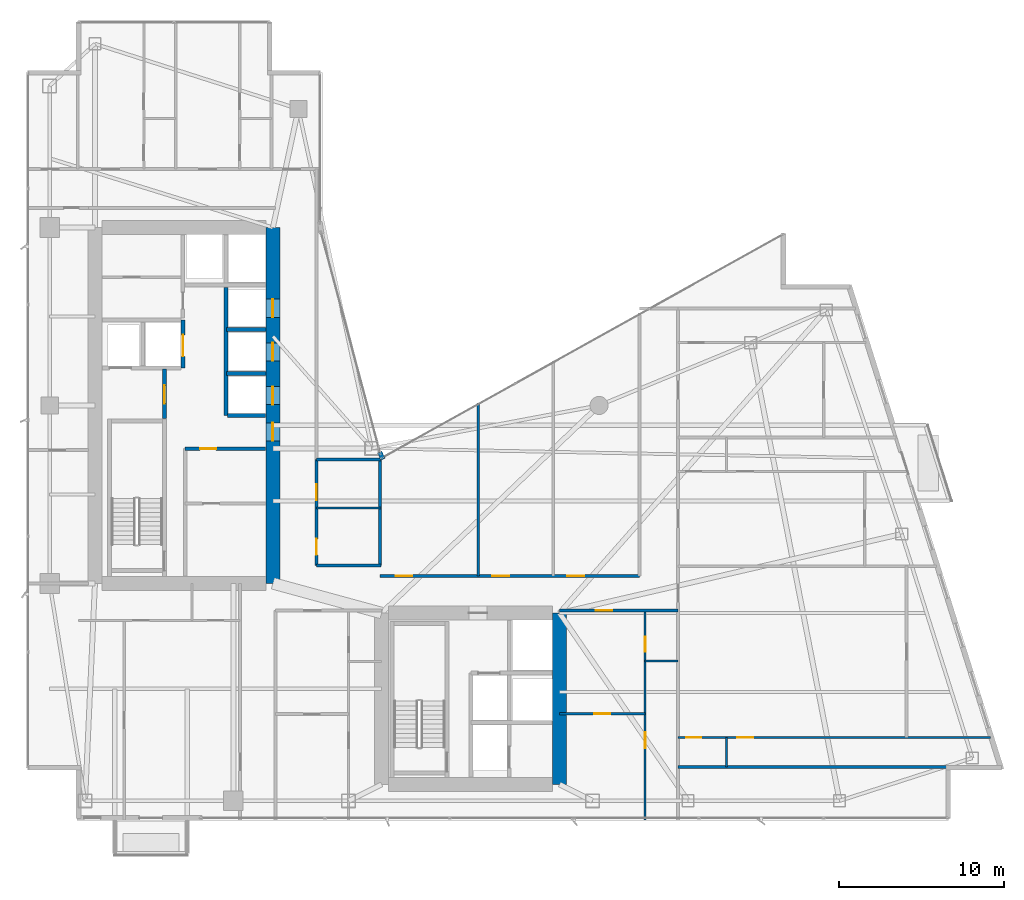
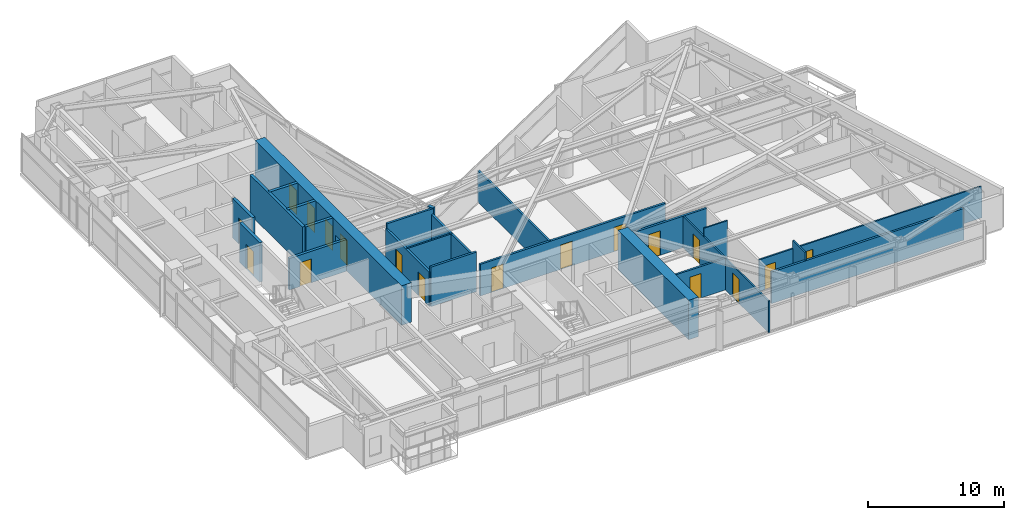
# One storey, part 23 of 28: 24 walls, 18 doors, 18 openings.
"""IFC4 building model written with IfcOpenShell, lengths in metres."""

from ifc_helpers import new_model, si_unit, direction, frame, frame_2d, origin, place, context, subcontext, project, spatial, rectangle, extrude, material, layer, layer_set, type_object, element, fill, save


model = new_model("IFC4")

# Units and contexts
model_context = context("Model", 3, precision=1e-05, world=origin(), true_north=direction((0.0, 1.0)))
body_context = subcontext(model_context, "Body", "Model", "MODEL_VIEW")
ifc_project = project(units=[si_unit("LENGTHUNIT", "METRE"), si_unit("AREAUNIT", "SQUARE_METRE"), si_unit("VOLUMEUNIT", "CUBIC_METRE"), si_unit("PLANEANGLEUNIT", "RADIAN"), si_unit("MASSUNIT", "GRAM", prefix="KILO")], contexts=[model_context])

# Site, building, storey
site_placement = place(None, origin())
site = spatial("IfcSite", under=ifc_project, at=site_placement, CompositionType="ELEMENT")
building_placement = place(site_placement, origin())
building = spatial("IfcBuilding", under=site, at=building_placement, Name="Calvorn Quay Hotel", CompositionType="ELEMENT")
storey_placement = place(building_placement, frame((0.0, 0.0, 112.60009765625)))
storey = spatial("IfcBuildingStorey", under=building, at=storey_placement, Name="L27", CompositionType="ELEMENT", Elevation=112.60009765625)

# Wall, openings, doors
ifc_material_1 = material(Name="Concrete C50", Category="concrete")
ifc_layer_1 = layer(ifc_material_1, 0.85009765625)
ifc_layer_set_1 = layer_set([ifc_layer_1], Name="WL-CORE-850")
wall_type_1 = type_object("IfcWallType", Name="WL-CORE-850", PredefinedType="SHEAR", material=ifc_layer_set_1)
wall_1_placement = place(storey_placement, frame((15.0, 16.800048828125, 0.0), z_axis=(0.0, 0.0, 1.0), x_axis=(0.0, 1.0, 0.0)))
wall_1 = element("IfcWall", 1, at=wall_1_placement, inside=storey, type_object=wall_type_1, Name="West Core Shear Wall E (L27)", PredefinedType="SHEAR", context=body_context, shape_type="SweptSolid", body=[
    extrude(rectangle(XDim=21.599853515625, YDim=0.85009765625, at=frame_2d((10.7998046875, 0.0))), origin(), (0.0, 0.0, 1.0), 3.559814453125),
])
opening_1_placement = place(wall_1_placement, frame((8.64990234375, 0.0, 0.0)))
opening_1 = element("IfcOpeningElement", 2, at=opening_1_placement, cuts=wall_1, Name="Opening D-L27-CW1", PredefinedType="OPENING", context=body_context, shape_type="SweptSolid", body=[
    extrude(rectangle(XDim=1.10009765625, YDim=2.199951171875, at=frame_2d((0.550048828125, 1.10009765625))), frame((0.0, 0.43505859375, 0.0), z_axis=(0.0, -1.0, 0.0), x_axis=(1.0, 0.0, 0.0)), (0.0, 0.0, 1.0), 0.8701171875),
])
opening_2_placement = place(wall_1_placement, frame((10.85009765625, 0.0, 0.0)))
opening_2 = element("IfcOpeningElement", 3, at=opening_2_placement, cuts=wall_1, Name="Opening LD-L27-M1", PredefinedType="OPENING", context=body_context, shape_type="SweptSolid", body=[
    extrude(rectangle(XDim=1.10009765625, YDim=2.199951171875, at=frame_2d((0.550048828125, 1.10009765625))), frame((0.0, 0.43505859375, 0.0), z_axis=(0.0, -1.0, 0.0), x_axis=(1.0, 0.0, 0.0)), (0.0, 0.0, 1.0), 0.8701171875),
])
opening_3_placement = place(wall_1_placement, frame((13.5, 0.0, 0.0)))
opening_3 = element("IfcOpeningElement", 4, at=opening_3_placement, cuts=wall_1, Name="Opening LD-L27-M2", PredefinedType="OPENING", context=body_context, shape_type="SweptSolid", body=[
    extrude(rectangle(XDim=1.10009765625, YDim=2.199951171875, at=frame_2d((0.550048828125, 1.10009765625))), frame((0.0, 0.43505859375, 0.0), z_axis=(0.0, -1.0, 0.0), x_axis=(1.0, 0.0, 0.0)), (0.0, 0.0, 1.0), 0.8701171875),
])
opening_4_placement = place(wall_1_placement, frame((16.14990234375, 0.0, 0.0)))
opening_4 = element("IfcOpeningElement", 5, at=opening_4_placement, cuts=wall_1, Name="Opening LD-L27-M3", PredefinedType="OPENING", context=body_context, shape_type="SweptSolid", body=[
    extrude(rectangle(XDim=1.10009765625, YDim=2.199951171875, at=frame_2d((0.550048828125, 1.10009765625))), frame((0.0, 0.43505859375, 0.0), z_axis=(0.0, -1.0, 0.0), x_axis=(1.0, 0.0, 0.0)), (0.0, 0.0, 1.0), 0.8701171875),
])
ifc_material_2 = material(Name="Smoke-Sealed Steel Class A Fire Door", Category="steel")
door_type_1 = type_object("IfcDoorType", Name="DR-FFLOBBY-1100", OperationType="NOTDEFINED", PredefinedType="DOOR", material=ifc_material_2)
door_1_placement = place(opening_1_placement, origin())
door_1 = element("IfcDoor", 6, at=door_1_placement, inside=storey, type_object=door_type_1, Name="West Core Vestibule Fire Door (L27)", OperationType="SINGLE_SWING_RIGHT", OverallHeight=2.199951171875, OverallWidth=1.10009765625, PredefinedType="DOOR", context=body_context, shape_type="SweptSolid", body=[
    extrude(rectangle(XDim=1.10009765625, YDim=2.199951171875, at=frame_2d((0.550048828125, 1.10009765625))), frame((0.0, 0.02490234375, 0.0), z_axis=(0.0, -1.0, 0.0), x_axis=(1.0, 0.0, 0.0)), (0.0, 0.0, 1.0), 0.050048828125),
])
fill(opening_1, door_1)
ifc_material_3 = material(Name="Brushed Stainless Steel Sliding Lift Landing Door", Category="steel")
door_type_2 = type_object("IfcDoorType", Name="DR-LIFT-PASS-1100", OperationType="NOTDEFINED", PredefinedType="DOOR", material=ifc_material_3)
door_2_placement = place(opening_2_placement, origin())
door_2 = element("IfcDoor", 7, at=door_2_placement, inside=storey, type_object=door_type_2, Name="Mid-Rise Lift PL-M1 Landing Door (L27)", OperationType="DOUBLE_DOOR_SLIDING", OverallHeight=2.199951171875, OverallWidth=1.10009765625, PredefinedType="DOOR", context=body_context, shape_type="SweptSolid", body=[
    extrude(rectangle(XDim=1.10009765625, YDim=2.199951171875, at=frame_2d((0.550048828125, 1.10009765625))), frame((0.0, 0.02490234375, 0.0), z_axis=(0.0, -1.0, 0.0), x_axis=(1.0, 0.0, 0.0)), (0.0, 0.0, 1.0), 0.050048828125),
])
fill(opening_2, door_2)
door_3_placement = place(opening_3_placement, origin())
door_3 = element("IfcDoor", 8, at=door_3_placement, inside=storey, type_object=door_type_2, Name="Mid-Rise Lift PL-M2 Landing Door (L27)", OperationType="DOUBLE_DOOR_SLIDING", OverallHeight=2.199951171875, OverallWidth=1.10009765625, PredefinedType="DOOR", context=body_context, shape_type="SweptSolid", body=[
    extrude(rectangle(XDim=1.10009765625, YDim=2.199951171875, at=frame_2d((0.550048828125, 1.10009765625))), frame((0.0, 0.02490234375, 0.0), z_axis=(0.0, -1.0, 0.0), x_axis=(1.0, 0.0, 0.0)), (0.0, 0.0, 1.0), 0.050048828125),
])
fill(opening_3, door_3)
door_4_placement = place(opening_4_placement, origin())
door_4 = element("IfcDoor", 9, at=door_4_placement, inside=storey, type_object=door_type_2, Name="Mid-Rise Lift PL-M3 Landing Door (L27)", OperationType="DOUBLE_DOOR_SLIDING", OverallHeight=2.199951171875, OverallWidth=1.10009765625, PredefinedType="DOOR", context=body_context, shape_type="SweptSolid", body=[
    extrude(rectangle(XDim=1.10009765625, YDim=2.199951171875, at=frame_2d((0.550048828125, 1.10009765625))), frame((0.0, 0.02490234375, 0.0), z_axis=(0.0, -1.0, 0.0), x_axis=(1.0, 0.0, 0.0)), (0.0, 0.0, 1.0), 0.050048828125),
])
fill(opening_4, door_4)

# Walls
wall_2_placement = place(storey_placement, frame((32.39990234375, 4.60009765625, 0.0), z_axis=(0.0, 0.0, 1.0), x_axis=(0.0, 1.0, 0.0)))
element("IfcWall", 10, at=wall_2_placement, inside=storey, type_object=wall_type_1, Name="East Core Shear Wall E (L27)", PredefinedType="SHEAR", context=body_context, shape_type="SweptSolid", body=[
    extrude(rectangle(XDim=10.39990234375, YDim=0.85009765625, at=frame_2d((5.199951171875, 0.0))), origin(), (0.0, 0.0, 1.0), 3.559814453125),
])
ifc_material_4 = material(Name="Acoustic Fireboard Steel-Stud Partition", Category="steel")
ifc_layer_2 = layer(ifc_material_4, 0.179931640625)
ifc_layer_set_2 = layer_set([ifc_layer_2], Name="WL-CORR-FIRE-180")
wall_type_2 = type_object("IfcWallType", Name="WL-CORR-FIRE-180", PredefinedType="PARTITIONING", material=ifc_layer_set_2)
wall_3_placement = place(storey_placement, frame((17.64990234375, 17.8798828125, 0.0), z_axis=(0.0, 0.0, 1.0), x_axis=(1.0, 0.0, 0.0)))
element("IfcWall", 11, at=wall_3_placement, inside=storey, type_object=wall_type_2, Name="Partition Wall L27-WL-HK-S", PredefinedType="PARTITIONING", context=body_context, shape_type="SweptSolid", body=[
    extrude(rectangle(XDim=3.900146484375, YDim=0.179931640625, at=frame_2d((1.9501953125, 0.0))), origin(), (0.0, 0.0, 1.0), 3.559814453125),
])
wall_4_placement = place(storey_placement, frame((17.64990234375, 24.320068359375, 0.0), z_axis=(0.0, 0.0, 1.0), x_axis=(1.0, 0.0, 0.0)))
element("IfcWall", 12, at=wall_4_placement, inside=storey, type_object=wall_type_2, Name="Partition Wall L27-WL-HK-N", PredefinedType="PARTITIONING", context=body_context, shape_type="SweptSolid", body=[
    extrude(rectangle(XDim=3.9501953125, YDim=0.179931640625, at=frame_2d((1.97509765625, 0.0))), origin(), (0.0, 0.0, 1.0), 3.559814453125),
])
wall_5_placement = place(storey_placement, frame((21.5, 17.8798828125, 0.0), z_axis=(0.0, 0.0, 1.0), x_axis=(0.0, 1.0, 0.0)))
element("IfcWall", 13, at=wall_5_placement, inside=storey, type_object=wall_type_2, Name="Partition Wall L27-WL-HK-E", PredefinedType="PARTITIONING", context=body_context, shape_type="SweptSolid", body=[
    extrude(rectangle(XDim=6.440185546875, YDim=0.179931640625, at=frame_2d((3.22021484375, 0.0))), origin(), (0.0, 0.0, 1.0), 3.08984375),
])

# Wall, openings, doors
wall_6_placement = place(storey_placement, frame((17.64990234375, 17.8798828125, 0.0), z_axis=(0.0, 0.0, 1.0), x_axis=(0.0, 1.0, 0.0)))
wall_6 = element("IfcWall", 14, at=wall_6_placement, inside=storey, type_object=wall_type_2, Name="Partition Wall L27-WL-HK-W", PredefinedType="PARTITIONING", context=body_context, shape_type="SweptSolid", body=[
    extrude(rectangle(XDim=6.440185546875, YDim=0.179931640625, at=frame_2d((3.22021484375, 0.0))), origin(), (0.0, 0.0, 1.0), 3.08984375),
])
opening_5_placement = place(wall_6_placement, frame((0.64990234375, 0.0, 0.0)))
opening_5 = element("IfcOpeningElement", 15, at=opening_5_placement, cuts=wall_6, Name="Opening D-L27-HK", PredefinedType="OPENING", context=body_context, shape_type="SweptSolid", body=[
    extrude(rectangle(XDim=0.97998046875, YDim=2.14990234375, at=frame_2d((0.489990234375, 1.074951171875))), frame((0.0, 0.099853515625, 0.0), z_axis=(0.0, -1.0, 0.0), x_axis=(1.0, 0.0, 0.0)), (0.0, 0.0, 1.0), 0.199951171875),
])
opening_6_placement = place(wall_6_placement, frame((3.969970703125, 0.0, 0.0)))
opening_6 = element("IfcOpeningElement", 16, at=opening_6_placement, cuts=wall_6, Name="Opening D-L27-NCP", PredefinedType="OPENING", context=body_context, shape_type="SweptSolid", body=[
    extrude(rectangle(XDim=0.9599609375, YDim=2.199951171875, at=frame_2d((0.47998046875, 1.10009765625))), frame((0.0, 0.099853515625, 0.0), z_axis=(0.0, -1.0, 0.0), x_axis=(1.0, 0.0, 0.0)), (0.0, 0.0, 1.0), 0.199951171875),
])
ifc_material_5 = material(Name="Painted Steel Housekeeping/Riser Fire Door", Category="steel")
door_type_3 = type_object("IfcDoorType", Name="DR-SERVICE-980", OperationType="NOTDEFINED", PredefinedType="DOOR", material=ifc_material_5)
door_5_placement = place(opening_5_placement, origin())
door_5 = element("IfcDoor", 17, at=door_5_placement, inside=storey, type_object=door_type_3, Name="Floor Housekeeping Door (L27)", OperationType="SINGLE_SWING_LEFT", OverallHeight=2.14990234375, OverallWidth=0.97998046875, PredefinedType="DOOR", context=body_context, shape_type="SweptSolid", body=[
    extrude(rectangle(XDim=0.97998046875, YDim=2.14990234375, at=frame_2d((0.489990234375, 1.074951171875))), frame((0.0, 0.02490234375, 0.0), z_axis=(0.0, -1.0, 0.0), x_axis=(1.0, 0.0, 0.0)), (0.0, 0.0, 1.0), 0.050048828125),
])
fill(opening_5, door_5)
ifc_material_6 = material(Name="Solid Timber Internal Suite Door", Category="wood")
door_type_4 = type_object("IfcDoorType", Name="DR-SUITE-INT-960", OperationType="NOTDEFINED", PredefinedType="DOOR", material=ifc_material_6)
door_6_placement = place(opening_6_placement, origin())
door_6 = element("IfcDoor", 18, at=door_6_placement, inside=storey, type_object=door_type_4, Name="Reading Alcove Door (L27)", OperationType="SINGLE_SWING_RIGHT", OverallHeight=2.199951171875, OverallWidth=0.9599609375, PredefinedType="DOOR", context=body_context, shape_type="SweptSolid", body=[
    extrude(rectangle(XDim=0.9599609375, YDim=2.199951171875, at=frame_2d((0.47998046875, 1.10009765625))), frame((0.0, 0.02490234375, 0.0), z_axis=(0.0, -1.0, 0.0), x_axis=(1.0, 0.0, 0.0)), (0.0, 0.0, 1.0), 0.050048828125),
])
fill(opening_6, door_6)

# Wall, opening, door
wall_7_placement = place(storey_placement, frame((32.39990234375, 15.14990234375, 0.0), z_axis=(0.0, 0.0, 1.0), x_axis=(1.0, 0.0, 0.0)))
wall_7 = element("IfcWall", 19, at=wall_7_placement, inside=storey, type_object=wall_type_2, Name="Partition Wall L27-WL-CORR-SE-S", PredefinedType="PARTITIONING", context=body_context, shape_type="SweptSolid", body=[
    extrude(rectangle(XDim=7.2001953125, YDim=0.179931640625, at=frame_2d((3.60009765625, 0.0))), origin(), (0.0, 0.0, 1.0), 2.83984375),
])
opening_7_placement = place(wall_7_placement, frame((2.18994140625, 0.0, 0.0)))
opening_7 = element("IfcOpeningElement", 20, at=opening_7_placement, cuts=wall_7, Name="Opening D-L27-U05", PredefinedType="OPENING", context=body_context, shape_type="SweptSolid", body=[
    extrude(rectangle(XDim=1.02001953125, YDim=2.199951171875, at=frame_2d((0.510009765625, 1.10009765625))), frame((0.0, 0.099853515625, 0.0), z_axis=(0.0, -1.0, 0.0), x_axis=(1.0, 0.0, 0.0)), (0.0, 0.0, 1.0), 0.199951171875),
])
ifc_material_7 = material(Name="Solid-Core Walnut Veneer Hotel Fire Door")
door_type_5 = type_object("IfcDoorType", Name="DR-GUEST-ENTRY-1020", OperationType="NOTDEFINED", PredefinedType="DOOR", material=ifc_material_7)
door_7_placement = place(opening_7_placement, origin())
door_7 = element("IfcDoor", 21, at=door_7_placement, inside=storey, type_object=door_type_5, Name="South-East Unit Door U05 (L27)", OperationType="SINGLE_SWING_LEFT", OverallHeight=2.199951171875, OverallWidth=1.02001953125, PredefinedType="DOOR", context=body_context, shape_type="SweptSolid", body=[
    extrude(rectangle(XDim=1.02001953125, YDim=2.199951171875, at=frame_2d((0.510009765625, 1.10009765625))), frame((0.0, 0.02490234375, 0.0), z_axis=(0.0, -1.0, 0.0), x_axis=(1.0, 0.0, 0.0)), (0.0, 0.0, 1.0), 0.050048828125),
])
fill(opening_7, door_7)

# Wall, openings, doors
wall_8_placement = place(storey_placement, frame((21.5, 17.25, 0.0), z_axis=(0.0, 0.0, 1.0), x_axis=(1.0, 0.0, 0.0)))
wall_8 = element("IfcWall", 22, at=wall_8_placement, inside=storey, type_object=wall_type_2, Name="Partition Wall L27-WL-CORR-NE-N", PredefinedType="PARTITIONING", context=body_context, shape_type="SweptSolid", body=[
    extrude(rectangle(XDim=15.75, YDim=0.179931640625, at=frame_2d((7.875, 0.0))), origin(), (0.0, 0.0, 1.0), 2.83984375),
])
opening_8_placement = place(wall_8_placement, frame((0.949951171875, 0.0, 0.0)))
opening_8 = element("IfcOpeningElement", 23, at=opening_8_placement, cuts=wall_8, Name="Opening D-L27-NS1", PredefinedType="OPENING", context=body_context, shape_type="SweptSolid", body=[
    extrude(rectangle(XDim=1.02001953125, YDim=2.199951171875, at=frame_2d((0.510009765625, 1.10009765625))), frame((0.0, 0.099853515625, 0.0), z_axis=(0.0, -1.0, 0.0), x_axis=(1.0, 0.0, 0.0)), (0.0, 0.0, 1.0), 0.199951171875),
])
opening_9_placement = place(wall_8_placement, frame((6.820068359375, 0.0, 0.0)))
opening_9 = element("IfcOpeningElement", 24, at=opening_9_placement, cuts=wall_8, Name="Opening D-L27-NS2", PredefinedType="OPENING", context=body_context, shape_type="SweptSolid", body=[
    extrude(rectangle(XDim=1.02001953125, YDim=2.199951171875, at=frame_2d((0.510009765625, 1.10009765625))), frame((0.0, 0.099853515625, 0.0), z_axis=(0.0, -1.0, 0.0), x_axis=(1.0, 0.0, 0.0)), (0.0, 0.0, 1.0), 0.199951171875),
])
opening_10_placement = place(wall_8_placement, frame((11.3798828125, 0.0, 0.0)))
opening_10 = element("IfcOpeningElement", 25, at=opening_10_placement, cuts=wall_8, Name="Opening D-L27-NS3", PredefinedType="OPENING", context=body_context, shape_type="SweptSolid", body=[
    extrude(rectangle(XDim=1.02001953125, YDim=2.199951171875, at=frame_2d((0.510009765625, 1.10009765625))), frame((0.0, 0.099853515625, 0.0), z_axis=(0.0, -1.0, 0.0), x_axis=(1.0, 0.0, 0.0)), (0.0, 0.0, 1.0), 0.199951171875),
])
door_8_placement = place(opening_8_placement, origin())
door_8 = element("IfcDoor", 26, at=door_8_placement, inside=storey, type_object=door_type_5, Name="Conservatory Salon Door 1 (L27)", OperationType="SINGLE_SWING_RIGHT", OverallHeight=2.199951171875, OverallWidth=1.02001953125, PredefinedType="DOOR", context=body_context, shape_type="SweptSolid", body=[
    extrude(rectangle(XDim=1.02001953125, YDim=2.199951171875, at=frame_2d((0.510009765625, 1.10009765625))), frame((0.0, 0.02490234375, 0.0), z_axis=(0.0, -1.0, 0.0), x_axis=(1.0, 0.0, 0.0)), (0.0, 0.0, 1.0), 0.050048828125),
])
fill(opening_8, door_8)
door_9_placement = place(opening_9_placement, origin())
door_9 = element("IfcDoor", 27, at=door_9_placement, inside=storey, type_object=door_type_5, Name="Conservatory Salon Door 2 (L27)", OperationType="SINGLE_SWING_LEFT", OverallHeight=2.199951171875, OverallWidth=1.02001953125, PredefinedType="DOOR", context=body_context, shape_type="SweptSolid", body=[
    extrude(rectangle(XDim=1.02001953125, YDim=2.199951171875, at=frame_2d((0.510009765625, 1.10009765625))), frame((0.0, 0.02490234375, 0.0), z_axis=(0.0, -1.0, 0.0), x_axis=(1.0, 0.0, 0.0)), (0.0, 0.0, 1.0), 0.050048828125),
])
fill(opening_9, door_9)
door_10_placement = place(opening_10_placement, origin())
door_10 = element("IfcDoor", 28, at=door_10_placement, inside=storey, type_object=door_type_5, Name="Conservatory Salon Door 3 (L27)", OperationType="SINGLE_SWING_RIGHT", OverallHeight=2.199951171875, OverallWidth=1.02001953125, PredefinedType="DOOR", context=body_context, shape_type="SweptSolid", body=[
    extrude(rectangle(XDim=1.02001953125, YDim=2.199951171875, at=frame_2d((0.510009765625, 1.10009765625))), frame((0.0, 0.02490234375, 0.0), z_axis=(0.0, -1.0, 0.0), x_axis=(1.0, 0.0, 0.0)), (0.0, 0.0, 1.0), 0.050048828125),
])
fill(opening_10, door_10)

# Walls
wall_9_placement = place(storey_placement, frame((39.60009765625, 5.659912109375, 0.0), z_axis=(0.0, 0.0, 1.0), x_axis=(1.0, 0.0, 0.0)))
element("IfcWall", 29, at=wall_9_placement, inside=storey, type_object=wall_type_2, Name="Partition Wall L27-WL-TIP-S", PredefinedType="PARTITIONING", context=body_context, shape_type="SweptSolid", body=[
    extrude(rectangle(XDim=16.39990234375, YDim=0.179931640625, at=frame_2d((8.199951171875, 0.0))), origin(), (0.0, 0.0, 1.0), 2.83984375),
])
ifc_material_8 = material(Name="Moisture-Resistant Tile-Backed Partition")
ifc_layer_3 = layer(ifc_material_8, 0.125)
ifc_layer_set_3 = layer_set([ifc_layer_3], Name="WL-ENSUITE-125")
wall_type_3 = type_object("IfcWallType", Name="WL-ENSUITE-125", PredefinedType="PARTITIONING", material=ifc_layer_set_3)
wall_10_placement = place(storey_placement, frame((17.64990234375, 21.3798828125, 0.0), z_axis=(0.0, 0.0, 1.0), x_axis=(1.0, 0.0, 0.0)))
element("IfcWall", 30, at=wall_10_placement, inside=storey, type_object=wall_type_3, Name="Partition Wall L27-WL-HK-M", PredefinedType="PARTITIONING", context=body_context, shape_type="SweptSolid", body=[
    extrude(rectangle(XDim=3.900146484375, YDim=0.125, at=frame_2d((1.9501953125, 0.0))), origin(), (0.0, 0.0, 1.0), 3.08984375),
])
wall_11_placement = place(storey_placement, frame((37.60009765625, 12.10009765625, 0.0), z_axis=(0.0, 0.0, 1.0), x_axis=(1.0, 0.0, 0.0)))
element("IfcWall", 31, at=wall_11_placement, inside=storey, type_object=wall_type_3, Name="Partition Wall L27-WL-U05-BDV", PredefinedType="PARTITIONING", context=body_context, shape_type="SweptSolid", body=[
    extrude(rectangle(XDim=2.0, YDim=0.125, at=frame_2d((1.0, 0.0))), origin(), (0.0, 0.0, 1.0), 3.559814453125),
])

# Wall, openings, doors
wall_12_placement = place(storey_placement, frame((37.60009765625, 2.43994140625, 0.0), z_axis=(0.0, 0.0, 1.0), x_axis=(0.0, 1.0, 0.0)))
wall_12 = element("IfcWall", 32, at=wall_12_placement, inside=storey, type_object=wall_type_3, Name="Partition Wall L27-WL-U05-BV", PredefinedType="PARTITIONING", context=body_context, shape_type="SweptSolid", body=[
    extrude(rectangle(XDim=12.7099609375, YDim=0.125, at=frame_2d((6.35498046875, 0.0))), origin(), (0.0, 0.0, 1.0), 2.83984375),
])
opening_11_placement = place(wall_12_placement, frame((4.35009765625, 0.0, 0.0)))
opening_11 = element("IfcOpeningElement", 33, at=opening_11_placement, cuts=wall_12, Name="Opening D-L27-S05", PredefinedType="OPENING", context=body_context, shape_type="SweptSolid", body=[
    extrude(rectangle(XDim=0.9599609375, YDim=2.199951171875, at=frame_2d((0.47998046875, 1.10009765625))), frame((0.0, 0.072509765625, 0.0), z_axis=(0.0, -1.0, 0.0), x_axis=(1.0, 0.0, 0.0)), (0.0, 0.0, 1.0), 0.14501953125),
])
opening_12_placement = place(wall_12_placement, frame((10.2099609375, 0.0, 0.0)))
opening_12 = element("IfcOpeningElement", 34, at=opening_12_placement, cuts=wall_12, Name="Opening D-L27-E05", PredefinedType="OPENING", context=body_context, shape_type="SweptSolid", body=[
    extrude(rectangle(XDim=0.89990234375, YDim=2.14990234375, at=frame_2d((0.449951171875, 1.074951171875))), frame((0.0, 0.072509765625, 0.0), z_axis=(0.0, -1.0, 0.0), x_axis=(1.0, 0.0, 0.0)), (0.0, 0.0, 1.0), 0.14501953125),
])
ifc_material_9 = material(Name="Moisture-Sealed Timber En-Suite Door", Category="wood")
door_type_6 = type_object("IfcDoorType", Name="DR-ENSUITE-900", OperationType="NOTDEFINED", PredefinedType="DOOR", material=ifc_material_9)
door_11_placement = place(opening_12_placement, origin())
door_11 = element("IfcDoor", 35, at=door_11_placement, inside=storey, type_object=door_type_6, Name="En-Suite Door 05", OperationType="SINGLE_SWING_RIGHT", OverallHeight=2.14990234375, OverallWidth=0.89990234375, PredefinedType="DOOR", context=body_context, shape_type="SweptSolid", body=[
    extrude(rectangle(XDim=0.89990234375, YDim=2.14990234375, at=frame_2d((0.449951171875, 1.074951171875))), frame((0.0, 0.02490234375, 0.0), z_axis=(0.0, -1.0, 0.0), x_axis=(1.0, 0.0, 0.0)), (0.0, 0.0, 1.0), 0.050048828125),
])
fill(opening_12, door_11)
door_12_placement = place(opening_11_placement, origin())
door_12 = element("IfcDoor", 36, at=door_12_placement, inside=storey, type_object=door_type_4, Name="Executive Study Door 05", OperationType="SINGLE_SWING_LEFT", OverallHeight=2.199951171875, OverallWidth=0.9599609375, PredefinedType="DOOR", context=body_context, shape_type="SweptSolid", body=[
    extrude(rectangle(XDim=0.9599609375, YDim=2.199951171875, at=frame_2d((0.47998046875, 1.10009765625))), frame((0.0, 0.02490234375, 0.0), z_axis=(0.0, -1.0, 0.0), x_axis=(1.0, 0.0, 0.0)), (0.0, 0.0, 1.0), 0.050048828125),
])
fill(opening_11, door_12)

# Wall
wall_13_placement = place(storey_placement, frame((42.550048828125, 5.659912109375, 0.0), z_axis=(0.0, 0.0, 1.0), x_axis=(0.0, 1.0, 0.0)))
element("IfcWall", 37, at=wall_13_placement, inside=storey, type_object=wall_type_3, Name="Partition Wall L27-WL-U06-BDV", PredefinedType="PARTITIONING", context=body_context, shape_type="SweptSolid", body=[
    extrude(rectangle(XDim=1.7900390625, YDim=0.125, at=frame_2d((0.89501953125, 0.0))), origin(), (0.0, 0.0, 1.0), 3.559814453125),
])

# Wall, openings, doors
wall_14_placement = place(storey_placement, frame((39.60009765625, 7.449951171875, 0.0), z_axis=(0.0, 0.0, 1.0), x_axis=(1.0, 0.0, 0.0)))
wall_14 = element("IfcWall", 38, at=wall_14_placement, inside=storey, type_object=wall_type_3, Name="Partition Wall L27-WL-U06-BH", PredefinedType="PARTITIONING", context=body_context, shape_type="SweptSolid", body=[
    extrude(rectangle(XDim=18.9599609375, YDim=0.125, at=frame_2d((9.47998046875, 0.0))), origin(), (0.0, 0.0, 1.0), 2.83984375),
])
opening_13_placement = place(wall_14_placement, frame((0.5, 0.0, 0.0)))
opening_13 = element("IfcOpeningElement", 39, at=opening_13_placement, cuts=wall_14, Name="Opening D-L27-E06", PredefinedType="OPENING", context=body_context, shape_type="SweptSolid", body=[
    extrude(rectangle(XDim=0.89990234375, YDim=2.14990234375, at=frame_2d((0.449951171875, 1.074951171875))), frame((0.0, 0.072509765625, 0.0), z_axis=(0.0, -1.0, 0.0), x_axis=(1.0, 0.0, 0.0)), (0.0, 0.0, 1.0), 0.14501953125),
])
opening_14_placement = place(wall_14_placement, frame((3.60009765625, 0.0, 0.0)))
opening_14 = element("IfcOpeningElement", 40, at=opening_14_placement, cuts=wall_14, Name="Opening D-L27-S06", PredefinedType="OPENING", context=body_context, shape_type="SweptSolid", body=[
    extrude(rectangle(XDim=0.9599609375, YDim=2.199951171875, at=frame_2d((0.47998046875, 1.10009765625))), frame((0.0, 0.072509765625, 0.0), z_axis=(0.0, -1.0, 0.0), x_axis=(1.0, 0.0, 0.0)), (0.0, 0.0, 1.0), 0.14501953125),
])
door_13_placement = place(opening_13_placement, origin())
door_13 = element("IfcDoor", 41, at=door_13_placement, inside=storey, type_object=door_type_6, Name="En-Suite Door 06", OperationType="SINGLE_SWING_LEFT", OverallHeight=2.14990234375, OverallWidth=0.89990234375, PredefinedType="DOOR", context=body_context, shape_type="SweptSolid", body=[
    extrude(rectangle(XDim=0.89990234375, YDim=2.14990234375, at=frame_2d((0.449951171875, 1.074951171875))), frame((0.0, 0.02490234375, 0.0), z_axis=(0.0, -1.0, 0.0), x_axis=(1.0, 0.0, 0.0)), (0.0, 0.0, 1.0), 0.050048828125),
])
fill(opening_13, door_13)
door_14_placement = place(opening_14_placement, origin())
door_14 = element("IfcDoor", 42, at=door_14_placement, inside=storey, type_object=door_type_4, Name="Executive Study Door 06", OperationType="SINGLE_SWING_RIGHT", OverallHeight=2.199951171875, OverallWidth=0.9599609375, PredefinedType="DOOR", context=body_context, shape_type="SweptSolid", body=[
    extrude(rectangle(XDim=0.9599609375, YDim=2.199951171875, at=frame_2d((0.47998046875, 1.10009765625))), frame((0.0, 0.02490234375, 0.0), z_axis=(0.0, -1.0, 0.0), x_axis=(1.0, 0.0, 0.0)), (0.0, 0.0, 1.0), 0.050048828125),
])
fill(opening_14, door_14)

# Wall
ifc_material_10 = material(Name="Concrete C40", Category="concrete")
ifc_layer_4 = layer(ifc_material_10, 0.320068359375)
ifc_layer_set_4 = layer_set([ifc_layer_4], Name="WL-EXT-SPANDREL-320")
wall_type_4 = type_object("IfcWallType", Name="WL-EXT-SPANDREL-320", PredefinedType="SOLIDWALL", material=ifc_layer_set_4)
wall_15_placement = place(storey_placement, frame((21.679931640625, 24.340087890625, 0.0), z_axis=(0.0, 0.0, 1.0), x_axis=(-0.40758134973, 0.913168901875, 0.0)))
element("IfcWall", 43, at=wall_15_placement, inside=storey, type_object=wall_type_4, Name="Inner Court Corner Pier L27-ICJ1", PredefinedType="SOLIDWALL", context=body_context, shape_type="SweptSolid", body=[
    extrude(rectangle(XDim=0.470703125, YDim=0.280029296875, at=frame_2d((0.2353515625, 0.0))), origin(), (0.0, 0.0, 1.0), 3.559814453125),
])

# Wall, opening, door
ifc_material_11 = material(Name="Double-Stud Acoustic Gypsum Partition")
ifc_layer_5 = layer(ifc_material_11, 0.159912109375)
ifc_layer_set_5 = layer_set([ifc_layer_5], Name="WL-INTERSUITE-160")
wall_type_5 = type_object("IfcWallType", Name="WL-INTERSUITE-160", PredefinedType="PARTITIONING", material=ifc_layer_set_5)
wall_16_placement = place(storey_placement, frame((32.39990234375, 8.8798828125, 0.0), z_axis=(0.0, 0.0, 1.0), x_axis=(1.0, 0.0, 0.0)))
wall_16 = element("IfcWall", 44, at=wall_16_placement, inside=storey, type_object=wall_type_5, Name="Partition Wall L27-WL-U05-MSP", PredefinedType="PARTITIONING", context=body_context, shape_type="SweptSolid", body=[
    extrude(rectangle(XDim=5.2001953125, YDim=0.159912109375, at=frame_2d((2.60009765625, 0.0))), origin(), (0.0, 0.0, 1.0), 2.83984375),
])
opening_15_placement = place(wall_16_placement, frame((2.1201171875, 0.0, 0.0)))
opening_15 = element("IfcOpeningElement", 45, at=opening_15_placement, cuts=wall_16, Name="Opening D-L27-M05", PredefinedType="OPENING", context=body_context, shape_type="SweptSolid", body=[
    extrude(rectangle(XDim=0.9599609375, YDim=2.199951171875, at=frame_2d((0.47998046875, 1.10009765625))), frame((0.0, 0.08984375, 0.0), z_axis=(0.0, -1.0, 0.0), x_axis=(1.0, 0.0, 0.0)), (0.0, 0.0, 1.0), 0.179931640625),
])
door_15_placement = place(opening_15_placement, origin())
door_15 = element("IfcDoor", 46, at=door_15_placement, inside=storey, type_object=door_type_4, Name="Suite Bedroom Door 05", OperationType="SINGLE_SWING_LEFT", OverallHeight=2.199951171875, OverallWidth=0.9599609375, PredefinedType="DOOR", context=body_context, shape_type="SweptSolid", body=[
    extrude(rectangle(XDim=0.9599609375, YDim=2.199951171875, at=frame_2d((0.47998046875, 1.10009765625))), frame((0.0, 0.02490234375, 0.0), z_axis=(0.0, -1.0, 0.0), x_axis=(1.0, 0.0, 0.0)), (0.0, 0.0, 1.0), 0.050048828125),
])
fill(opening_15, door_15)

# Wall
wall_17_placement = place(storey_placement, frame((27.469970703125, 17.25, 0.0), z_axis=(0.0, 0.0, 1.0), x_axis=(0.0, 1.0, 0.0)))
element("IfcWall", 47, at=wall_17_placement, inside=storey, type_object=wall_type_5, Name="Partition Wall L27-WL-NE-DIV-1", PredefinedType="PARTITIONING", context=body_context, shape_type="SweptSolid", body=[
    extrude(rectangle(XDim=10.5, YDim=0.159912109375, at=frame_2d((5.25, 0.0))), origin(), (0.0, 0.0, 1.0), 2.83984375),
])

# Wall, opening, door
ifc_material_12 = material(Name="Autoclaved Aerated Masonry Block", Category="masonry")
ifc_layer_6 = layer(ifc_material_12, 0.219970703125)
ifc_layer_set_6 = layer_set([ifc_layer_6], Name="WL-LOBBY-FIRE-220")
wall_type_6 = type_object("IfcWallType", Name="WL-LOBBY-FIRE-220", PredefinedType="SOLIDWALL", material=ifc_layer_set_6)
wall_18_placement = place(storey_placement, frame((9.679931640625, 24.969970703125, 0.0), z_axis=(0.0, 0.0, 1.0), x_axis=(1.0, 0.0, 0.0)))
wall_18 = element("IfcWall", 48, at=wall_18_placement, inside=storey, type_object=wall_type_6, Name="Partition Wall L27-WL-CWW-FR-N", PredefinedType="SOLIDWALL", context=body_context, shape_type="SweptSolid", body=[
    extrude(rectangle(XDim=4.875, YDim=0.219970703125, at=frame_2d((2.4375, 0.0))), origin(), (0.0, 0.0, 1.0), 2.83984375),
])
opening_16_placement = place(wall_18_placement, frame((0.89990234375, 0.0, 0.0)))
opening_16 = element("IfcOpeningElement", 49, at=opening_16_placement, cuts=wall_18, Name="Opening D-L27-FRL2", PredefinedType="OPENING", context=body_context, shape_type="SweptSolid", body=[
    extrude(rectangle(XDim=0.97998046875, YDim=2.14990234375, at=frame_2d((0.489990234375, 1.074951171875))), frame((0.0, 0.119873046875, 0.0), z_axis=(0.0, -1.0, 0.0), x_axis=(1.0, 0.0, 0.0)), (0.0, 0.0, 1.0), 0.239990234375),
])
door_16_placement = place(opening_16_placement, origin())
door_16 = element("IfcDoor", 50, at=door_16_placement, inside=storey, type_object=door_type_3, Name="Beverage Pantry Door (L27)", OperationType="SINGLE_SWING_RIGHT", OverallHeight=2.14990234375, OverallWidth=0.97998046875, PredefinedType="DOOR", context=body_context, shape_type="SweptSolid", body=[
    extrude(rectangle(XDim=0.97998046875, YDim=2.14990234375, at=frame_2d((0.489990234375, 1.074951171875))), frame((0.0, 0.02490234375, 0.0), z_axis=(0.0, -1.0, 0.0), x_axis=(1.0, 0.0, 0.0)), (0.0, 0.0, 1.0), 0.050048828125),
])
fill(opening_16, door_16)

# Walls
ifc_material_13 = material(Name="Concrete C40", Category="concrete")
ifc_layer_7 = layer(ifc_material_13, 0.239990234375)
ifc_layer_set_7 = layer_set([ifc_layer_7], Name="WL-SHAFT-240")
wall_type_7 = type_object("IfcWallType", Name="WL-SHAFT-240", PredefinedType="SOLIDWALL", material=ifc_layer_set_7)
for number, where, z_axis, x_axis, name in (
    (51, (12.179931640625, 29.550048828125, 0.0), (0.0, 0.0, 1.0), (1.0, 0.0, 0.0), "Lift Hoistway Divider Wall PLM12 (L27)"),
    (52, (12.179931640625, 32.199951171875, 0.0), (0.0, 0.0, 1.0), (1.0, 0.0, 0.0), "Lift Hoistway Divider Wall PLM23 (L27)"),
):
    element("IfcWall", number, at=place(storey_placement, frame(where, z_axis=z_axis, x_axis=x_axis)), inside=storey, type_object=wall_type_7, Name=name, PredefinedType="SOLIDWALL", context=body_context, shape_type="SweptSolid", body=[
        extrude(rectangle(XDim=2.39501953125, YDim=0.239990234375, at=frame_2d((1.197509765625, 0.0))), origin(), (0.0, 0.0, 1.0), 3.559814453125),
    ])

# Wall, opening, door
wall_19_placement = place(storey_placement, frame((8.419921875, 26.820068359375, 0.0), z_axis=(0.0, 0.0, 1.0), x_axis=(0.0, 1.0, 0.0)))
wall_19 = element("IfcWall", 53, at=wall_19_placement, inside=storey, type_object=wall_type_7, Name="Partition Wall L27-WL-CWW-FFL-E", PredefinedType="SOLIDWALL", context=body_context, shape_type="SweptSolid", body=[
    extrude(rectangle(XDim=3.0, YDim=0.239990234375, at=frame_2d((1.5, 0.0))), origin(), (0.0, 0.0, 1.0), 3.559814453125),
])
opening_17_placement = place(wall_19_placement, frame((0.89990234375, 0.0, 0.0)))
opening_17 = element("IfcOpeningElement", 54, at=opening_17_placement, cuts=wall_19, Name="Opening D-L27-FLW", PredefinedType="OPENING", context=body_context, shape_type="SweptSolid", body=[
    extrude(rectangle(XDim=1.10009765625, YDim=2.199951171875, at=frame_2d((0.550048828125, 1.10009765625))), frame((0.0, 0.1298828125, 0.0), z_axis=(0.0, -1.0, 0.0), x_axis=(1.0, 0.0, 0.0)), (0.0, 0.0, 1.0), 0.260009765625),
])
door_17_placement = place(opening_17_placement, origin())
door_17 = element("IfcDoor", 55, at=door_17_placement, inside=storey, type_object=door_type_1, Name="West Firefighting Lobby Fire Door (L27)", OperationType="SINGLE_SWING_RIGHT", OverallHeight=2.199951171875, OverallWidth=1.10009765625, PredefinedType="DOOR", context=body_context, shape_type="SweptSolid", body=[
    extrude(rectangle(XDim=1.10009765625, YDim=2.199951171875, at=frame_2d((0.550048828125, 1.10009765625))), frame((0.0, 0.02490234375, 0.0), z_axis=(0.0, -1.0, 0.0), x_axis=(1.0, 0.0, 0.0)), (0.0, 0.0, 1.0), 0.050048828125),
])
fill(opening_17, door_17)

wall_20_placement = place(storey_placement, frame((9.5400390625, 29.8798828125, 0.0), z_axis=(0.0, 0.0, 1.0), x_axis=(0.0, 1.0, 0.0)))
wall_20 = element("IfcWall", 56, at=wall_20_placement, inside=storey, type_object=wall_type_7, Name="Partition Wall L27-WL-CWW-SLW-E", PredefinedType="SOLIDWALL", context=body_context, shape_type="SweptSolid", body=[
    extrude(rectangle(XDim=2.900146484375, YDim=0.239990234375, at=frame_2d((1.4501953125, 0.0))), origin(), (0.0, 0.0, 1.0), 3.559814453125),
])
opening_18_placement = place(wall_20_placement, frame((0.699951171875, 0.0, 0.0)))
opening_18 = element("IfcOpeningElement", 57, at=opening_18_placement, cuts=wall_20, Name="Opening LD-L27-SLW1", PredefinedType="OPENING", context=body_context, shape_type="SweptSolid", body=[
    extrude(rectangle(XDim=1.300048828125, YDim=2.35009765625, at=frame_2d((0.64990234375, 1.175048828125))), frame((0.0, 0.1298828125, 0.0), z_axis=(0.0, -1.0, 0.0), x_axis=(1.0, 0.0, 0.0)), (0.0, 0.0, 1.0), 0.260009765625),
])
ifc_material_14 = material(Name="Champagne-Bronze Sliding Express Lift Landing Door")
door_type_7 = type_object("IfcDoorType", Name="DR-LIFT-SHUTTLE-1300", OperationType="NOTDEFINED", PredefinedType="DOOR", material=ifc_material_14)
door_18_placement = place(opening_18_placement, origin())
door_18 = element("IfcDoor", 58, at=door_18_placement, inside=storey, type_object=door_type_7, Name="Service Lift SL-W1 Landing Door (L27)", OperationType="DOUBLE_DOOR_SLIDING", OverallHeight=2.35009765625, OverallWidth=1.300048828125, PredefinedType="DOOR", context=body_context, shape_type="SweptSolid", body=[
    extrude(rectangle(XDim=1.300048828125, YDim=2.35009765625, at=frame_2d((0.64990234375, 1.175048828125))), frame((0.0, 0.02490234375, 0.0), z_axis=(0.0, -1.0, 0.0), x_axis=(1.0, 0.0, 0.0)), (0.0, 0.0, 1.0), 0.050048828125),
])
fill(opening_18, door_18)

# Walls
wall_21_placement = place(storey_placement, frame((12.25, 27.0, 0.0), z_axis=(0.0, 0.0, 1.0), x_axis=(1.0, 0.0, 0.0)))
element("IfcWall", 59, at=wall_21_placement, inside=storey, type_object=wall_type_7, Name="Partition Wall L27-WL-CWW-PLM-S", PredefinedType="SOLIDWALL", context=body_context, shape_type="SweptSolid", body=[
    extrude(rectangle(XDim=2.304931640625, YDim=0.239990234375, at=frame_2d((1.15234375, 0.0))), origin(), (0.0, 0.0, 1.0), 3.559814453125),
])
wall_22_placement = place(storey_placement, frame((12.14990234375, 27.0, 0.0), z_axis=(0.0, 0.0, 1.0), x_axis=(0.0, 1.0, 0.0)))
element("IfcWall", 60, at=wall_22_placement, inside=storey, type_object=wall_type_7, Name="Partition Wall L27-WL-CWW-PLM-W", PredefinedType="SOLIDWALL", context=body_context, shape_type="SweptSolid", body=[
    extrude(rectangle(XDim=7.75, YDim=0.239990234375, at=frame_2d((3.875, 0.0))), origin(), (0.0, 0.0, 1.0), 3.559814453125),
])

save(model, "model.ifc")
